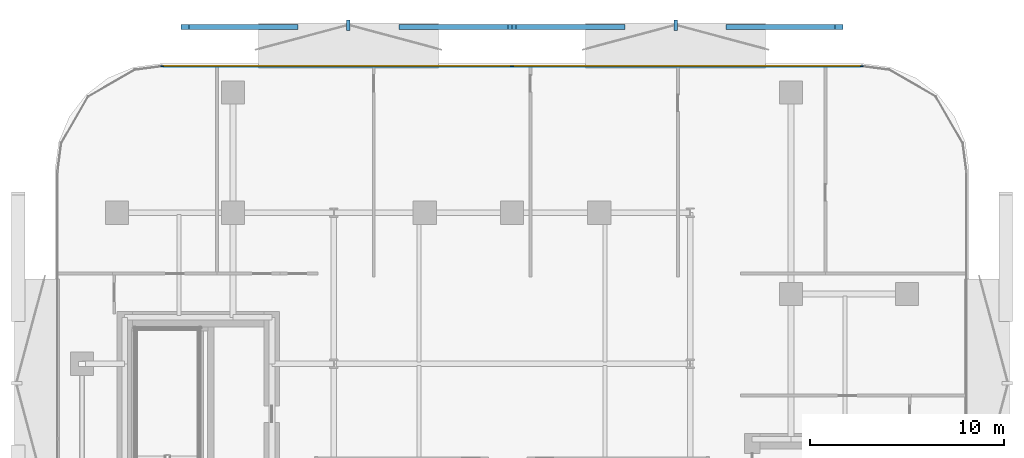
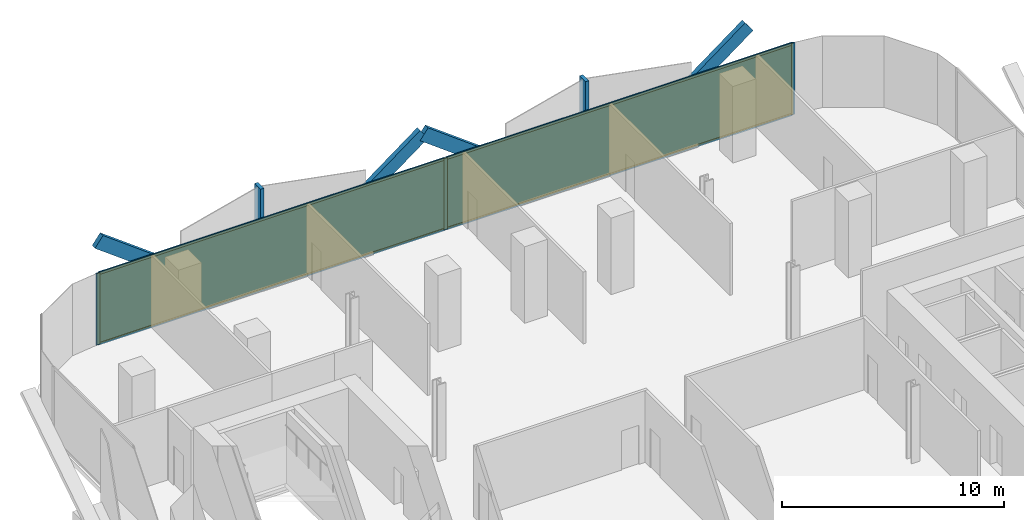
# One storey, part 11 of 16: 13 members, 2 plates, 1 curtain wall.
"""IFC4 building model written with IfcOpenShell, lengths in metres."""

import ifcopenshell
import ifcopenshell.guid

model = None  # the IFC model being written
_history = None  # IfcOwnerHistory: only IFC2X3 demands one
_inside = {}  # id of a spatial element -> (the spatial element, [elements in it])
_under = {}  # id of a project, library or spatial element -> (it, [spatial elements below it])
_declared = {}  # id of a project -> (the project, [libraries it declares])
_typed = {}  # id of a type object -> (the type object, [elements of that type])
_made_of = {}  # id of a material, layer set ... -> (it, [elements and type objects made of it])


def new_model(schema):
    """Start an empty IFC model of exactly this schema.

    Asked for "IFC4X3", IfcOpenShell would pick the latest addendum, in which some entities
    have other attributes; the version numbers below select the first issue.
    IFC2X3 requires an IfcOwnerHistory on every rooted entity: one is made here for all.
    """
    global model, _history
    if schema == "IFC4X3":
        model = ifcopenshell.file(schema_version=(4, 3, 0, 0))
    else:
        model = ifcopenshell.file(schema=schema)
    _inside.clear()
    _under.clear()
    _declared.clear()
    _typed.clear()
    _made_of.clear()
    _history = None
    if model.schema == "IFC2X3":
        org = make("IfcOrganization", Name="unknown")
        user = make(
            "IfcPersonAndOrganization",
            ThePerson=make("IfcPerson", FamilyName="unknown"),
            TheOrganization=org,
        )
        app = make(
            "IfcApplication",
            ApplicationDeveloper=org,
            Version="unknown",
            ApplicationFullName="unknown",
            ApplicationIdentifier="unknown",
        )
        _history = make(
            "IfcOwnerHistory",
            OwningUser=user,
            OwningApplication=app,
            ChangeAction="ADDED",
            CreationDate=0,
        )
    return model


def make(cls, **values):
    """One entity of the class cls with the attributes given. An attribute that is None is left unset."""
    return model.create_entity(
        cls, **{name: value for name, value in values.items() if value is not None}
    )


def rooted(cls, **values):
    """An entity with a GlobalId (a new one), such as an element, a storey or a relation."""
    return make(cls, GlobalId=ifcopenshell.guid.new(), OwnerHistory=_history, **values)


def si_unit(unit_type, name, prefix=None):
    """IfcSIUnit, for example si_unit("LENGTHUNIT", "METRE", prefix="MILLI")."""
    return make("IfcSIUnit", UnitType=unit_type, Prefix=prefix, Name=name)


def assignment(units):
    """IfcUnitAssignment: the units of a project."""
    return None if units is None else make("IfcUnitAssignment", Units=units)


def point(xyz):
    """IfcCartesianPoint."""
    return None if xyz is None else make("IfcCartesianPoint", Coordinates=xyz)


def direction(xyz):
    """IfcDirection."""
    return None if xyz is None else make("IfcDirection", DirectionRatios=xyz)


def frame(location, z_axis=None, x_axis=None):
    """IfcAxis2Placement3D, a coordinate frame: its origin and axes. An axis left out is left unset."""
    return make(
        "IfcAxis2Placement3D",
        Location=point(location),
        Axis=direction(z_axis),
        RefDirection=direction(x_axis),
    )


def frame_2d(location, x_axis=None):
    """IfcAxis2Placement2D, a coordinate frame in the plane: its origin and x axis."""
    return make(
        "IfcAxis2Placement2D", Location=point(location), RefDirection=direction(x_axis)
    )


def origin():
    """The frame at (0, 0, 0) with its axes left unset."""
    return frame((0.0, 0.0, 0.0))


def origin_2d():
    """The frame at (0, 0) in the plane with its x axis left unset."""
    return frame_2d((0.0, 0.0))


def place(relative_to, where):
    """IfcLocalPlacement: puts the frame where relative to a parent placement (None: the world)."""
    return make(
        "IfcLocalPlacement", PlacementRelTo=relative_to, RelativePlacement=where
    )


def context(
    kind, dimensions, precision=None, world=None, true_north=None, identifier=None
):
    """IfcGeometricRepresentationContext, for example the 3D "Model" context."""
    return make(
        "IfcGeometricRepresentationContext",
        ContextIdentifier=identifier,
        ContextType=kind,
        CoordinateSpaceDimension=dimensions,
        Precision=precision,
        WorldCoordinateSystem=world,
        TrueNorth=true_north,
    )


def subcontext(parent, identifier, kind, view, scale=None):
    """IfcGeometricRepresentationSubContext, for example "Body" below "Model"."""
    return make(
        "IfcGeometricRepresentationSubContext",
        ContextIdentifier=identifier,
        ContextType=kind,
        ParentContext=parent,
        TargetScale=scale,
        TargetView=view,
    )


def project(units=None, contexts=None):
    """IfcProject with its units and contexts."""
    return rooted(
        "IfcProject",
        Name="project",
        RepresentationContexts=contexts,
        UnitsInContext=assignment(units),
    )


def spatial(cls, under=None, at=None, **own):
    """A site, building, storey or space (cls), placed at a placement, below another one or the project."""
    s = rooted(cls, ObjectPlacement=at, **own)
    if under is not None:
        _under.setdefault(under.id(), (under, []))[1].append(s)
    return s


def profile(cls, at=None, kind="AREA", **sizes):
    """A parametric profile (cls). Its sizes go by their IFC names, for example OverallWidth=200.0."""
    return make(cls, ProfileType=kind, Position=at, **sizes)


def rectangle(**sizes):
    """IfcRectangleProfileDef."""
    return profile("IfcRectangleProfileDef", **sizes)


def extrude(swept, where, along, depth):
    """IfcExtrudedAreaSolid: the profile swept, set in the frame where, extruded along a direction by depth."""
    return make(
        "IfcExtrudedAreaSolid",
        SweptArea=swept,
        Position=where,
        ExtrudedDirection=direction(along),
        Depth=depth,
    )


def shape(context_of_items, identifier, shape_type, items):
    """IfcShapeRepresentation: the items that make up one representation, for example the "Body"."""
    return make(
        "IfcShapeRepresentation",
        ContextOfItems=context_of_items,
        RepresentationIdentifier=identifier,
        RepresentationType=shape_type,
        Items=items,
    )


def material(Name=None, Category=None):
    """IfcMaterial."""
    return make("IfcMaterial", Name=Name, Category=Category)


def layer(
    of_material, thickness, ventilated=None, Name=None, Category=None, Priority=None
):
    """IfcMaterialLayer: one layer of a wall or slab, of a material (None: an air gap)."""
    return make(
        "IfcMaterialLayer",
        Material=of_material,
        LayerThickness=thickness,
        IsVentilated=ventilated,
        Name=Name,
        Category=Category,
        Priority=Priority,
    )


def layer_set(layers, Name=None):
    """IfcMaterialLayerSet."""
    return make("IfcMaterialLayerSet", MaterialLayers=layers, LayerSetName=Name)


def material_profile(
    of_material, cross_section, Name=None, Category=None, Priority=None
):
    """IfcMaterialProfile: a cross section and its material."""
    return make(
        "IfcMaterialProfile",
        Name=Name,
        Material=of_material,
        Profile=cross_section,
        Priority=Priority,
        Category=Category,
    )


def profile_set(profiles, Name=None, composite=None):
    """IfcMaterialProfileSet."""
    return make(
        "IfcMaterialProfileSet",
        Name=Name,
        MaterialProfiles=profiles,
        CompositeProfile=composite,
    )


def made_of(thing, what):
    """Note that an element or type object is made of a material, layer set ...; save() writes the relation."""
    if what is not None:
        _made_of.setdefault(what.id(), (what, []))[1].append(thing)
    return thing


def type_object(cls, material=None, **own):
    """A type object (cls), such as IfcWallType, which elements share."""
    return made_of(rooted(cls, **own), material)


def element(
    cls,
    number,
    at=None,
    inside=None,
    cuts=None,
    type_object=None,
    material=None,
    context=None,
    identifier="Body",
    shape_type=None,
    held_by="IfcProductDefinitionShape",
    body=None,
    shapes=None,
    **own,
):
    """One element of the class cls, such as IfcWall. Its Tag is "e" and its number.

    at: its placement. inside: the storey or other place that contains it. cuts: it is an
    opening in that element (IfcRelVoidsElement). A single representation is given by context,
    identifier, shape_type and body (its items); several are given by shapes. held_by: the class
    of the entity that holds the representations. save() writes the other relations.
    """
    e = rooted(cls, Tag="e%d" % number, ObjectPlacement=at, **own)
    if body is not None:
        shapes = [shape(context, identifier, shape_type, body)]
    if shapes is not None:
        e.Representation = make(held_by, Representations=shapes)
    if inside is not None:
        _inside.setdefault(inside.id(), (inside, []))[1].append(e)
    if cuts is not None:
        rooted(
            "IfcRelVoidsElement", RelatingBuildingElement=cuts, RelatedOpeningElement=e
        )
    if type_object is not None:
        _typed.setdefault(type_object.id(), (type_object, []))[1].append(e)
    return made_of(e, material)


def aggregate(whole, parts):
    """IfcRelAggregates: a whole, such as a stair, and the parts it consists of."""
    return rooted("IfcRelAggregates", RelatingObject=whole, RelatedObjects=parts)


def save(model, path):
    """Write the relations noted so far, then the file.

    IfcRelAggregates (storeys below a building ...), IfcRelContainedInSpatialStructure (elements
    in a storey), IfcRelDefinesByType, IfcRelAssociatesMaterial and IfcRelDeclares: one each for
    every whole, place, type object, material and project.
    """
    for whole, parts in _under.values():
        aggregate(whole, parts)
    for where, things in _inside.values():
        rooted(
            "IfcRelContainedInSpatialStructure",
            RelatedElements=things,
            RelatingStructure=where,
        )
    for kind, things in _typed.values():
        rooted("IfcRelDefinesByType", RelatedObjects=things, RelatingType=kind)
    for what, things in _made_of.values():
        rooted("IfcRelAssociatesMaterial", RelatedObjects=things, RelatingMaterial=what)
    for by, libraries in _declared.values():
        rooted("IfcRelDeclares", RelatingContext=by, RelatedDefinitions=libraries)
    model.write(path)


model = new_model("IFC4")

# Units and contexts
model_context = context("Model", 3, precision=1e-05, world=origin(), true_north=direction((0.0, 1.0)))
body_context = subcontext(model_context, "Body", "Model", "MODEL_VIEW")
ifc_project = project(units=[si_unit("LENGTHUNIT", "METRE"), si_unit("AREAUNIT", "SQUARE_METRE"), si_unit("VOLUMEUNIT", "CUBIC_METRE"), si_unit("PLANEANGLEUNIT", "RADIAN"), si_unit("MASSUNIT", "GRAM", prefix="KILO")], contexts=[model_context])

# Member
ifc_material_1 = material(Name="Anodised Bronze Aluminium 6063-T6", Category="aluminium")
ifc_material_profile_1 = material_profile(ifc_material_1, rectangle(XDim=0.260009765625, YDim=0.699951171875, at=origin_2d()))
ifc_profile_set_1 = profile_set([ifc_material_profile_1], Name="Anodised Bronze Aluminium 6063-T6")
member_type_1 = type_object("IfcMemberType", Name="Bronze Diamond Solar-Screen Lattice Rib BDL-700", PredefinedType="MULLION", material=ifc_profile_set_1)
site_placement = place(None, origin())
building_placement = place(site_placement, origin())
storey_placement = place(building_placement, frame((0.0, 0.0, 139.39990234375)))
member_1_placement = place(storey_placement, frame((-5.63037109375, 28.199951171875, -0.1298828125), z_axis=(0.801557173533, 0.0, 0.597918136167), x_axis=(0.0, 1.0, 0.0)))
member_1 = element("IfcMember", 1, at=member_1_placement, type_object=member_type_1, Name="L32 Bronze Diamond Solar Screen Lattice Rib 205A", PredefinedType="MULLION", context=body_context, shape_type="SweptSolid", body=[
    extrude(rectangle(XDim=0.260009765625, YDim=0.699951171875, at=origin_2d()), origin(), (0.0, 0.0, 1.0), 7.024169921875),
])

member_2_placement = place(storey_placement, frame((-11.260498046875, 28.199951171875, -0.1298828125), z_axis=(-0.801557173533, 0.0, 0.597918136167), x_axis=(0.0, -1.0, 0.0)))
member_2 = element("IfcMember", 2, at=member_2_placement, type_object=member_type_1, Name="L32 Bronze Diamond Solar Screen Lattice Rib 205B", PredefinedType="MULLION", context=body_context, shape_type="SweptSolid", body=[
    extrude(rectangle(XDim=0.260009765625, YDim=0.699951171875, at=origin_2d()), origin(), (0.0, 0.0, 1.0), 7.024169921875),
])

member_3_placement = place(storey_placement, frame((11.260498046875, 28.199951171875, -0.1298828125), z_axis=(0.801557173533, 0.0, 0.597918136167), x_axis=(0.0, 1.0, 0.0)))
member_3 = element("IfcMember", 3, at=member_3_placement, type_object=member_type_1, Name="L32 Bronze Diamond Solar Screen Lattice Rib 206A", PredefinedType="MULLION", context=body_context, shape_type="SweptSolid", body=[
    extrude(rectangle(XDim=0.260009765625, YDim=0.699951171875, at=origin_2d()), origin(), (0.0, 0.0, 1.0), 7.024169921875),
])

member_4_placement = place(storey_placement, frame((5.63037109375, 28.199951171875, -0.1298828125), z_axis=(-0.801557173533, 0.0, 0.597918136167), x_axis=(0.0, -1.0, 0.0)))
member_4 = element("IfcMember", 4, at=member_4_placement, type_object=member_type_1, Name="L32 Bronze Diamond Solar Screen Lattice Rib 206B", PredefinedType="MULLION", context=body_context, shape_type="SweptSolid", body=[
    extrude(rectangle(XDim=0.260009765625, YDim=0.699951171875, at=origin_2d()), origin(), (0.0, 0.0, 1.0), 7.024169921875),
])

ifc_material_2 = material(Name="Anodised Bronze Aluminium 6063-T6", Category="aluminium")
ifc_material_profile_2 = material_profile(ifc_material_2, rectangle(XDim=0.179931640625, YDim=0.5400390625, at=origin_2d()))
ifc_profile_set_2 = profile_set([ifc_material_profile_2], Name="Anodised Bronze Aluminium 6063-T6")
member_type_2 = type_object("IfcMemberType", Name="Bronze Solar-Screen Vertical Fold Fin BSF-540", PredefinedType="MULLION", material=ifc_profile_set_2)
member_5_placement = place(storey_placement, frame((-8.4453125, 28.280029296875, -0.1298828125), z_axis=(0.0, 0.0, 1.0), x_axis=(1.0, 0.0, 0.0)))
member_5 = element("IfcMember", 5, at=member_5_placement, type_object=member_type_2, Name="L32 Bronze Solar Screen Vertical Fin 205", PredefinedType="MULLION", context=body_context, shape_type="SweptSolid", body=[
    extrude(rectangle(XDim=0.179931640625, YDim=0.5400390625, at=origin_2d()), origin(), (0.0, 0.0, 1.0), 4.199951171875),
])

member_6_placement = place(storey_placement, frame((8.4453125, 28.280029296875, -0.1298828125), z_axis=(0.0, 0.0, 1.0), x_axis=(1.0, 0.0, 0.0)))
member_6 = element("IfcMember", 6, at=member_6_placement, type_object=member_type_2, Name="L32 Bronze Solar Screen Vertical Fin 206", PredefinedType="MULLION", context=body_context, shape_type="SweptSolid", body=[
    extrude(rectangle(XDim=0.179931640625, YDim=0.5400390625, at=origin_2d()), origin(), (0.0, 0.0, 1.0), 4.199951171875),
])

ifc_material_3 = material(Name="Anodised Bronze Aluminium 6063-T6", Category="aluminium")
ifc_material_profile_3 = material_profile(ifc_material_3, rectangle(XDim=0.06494140625, YDim=0.175048828125, at=origin_2d()))
ifc_profile_set_3 = profile_set([ifc_material_profile_3], Name="Anodised Bronze Aluminium 6063-T6")
member_type_3 = type_object("IfcMemberType", Name="CW-Z2 Mullion 65x175", PredefinedType="MULLION", material=ifc_profile_set_3)
member_7_placement = place(storey_placement, frame((-18.058349609375, 26.159912109375, 0.0), z_axis=(0.0, 0.0, 1.0), x_axis=(0.0, 1.0, 0.0)))
member_7 = element("IfcMember", 7, at=member_7_placement, type_object=member_type_3, Name="CW-Z2 mullion 1", PredefinedType="MULLION", context=body_context, shape_type="SweptSolid", body=[
    extrude(rectangle(XDim=0.06494140625, YDim=0.175048828125, at=origin_2d()), origin(), (0.0, 0.0, 1.0), 3.940185546875),
])

member_8_placement = place(storey_placement, frame((0.0, 26.159912109375, 0.0), z_axis=(0.0, 0.0, 1.0), x_axis=(0.0, 1.0, 0.0)))
member_8 = element("IfcMember", 8, at=member_8_placement, type_object=member_type_3, Name="CW-Z2 mullion 2", PredefinedType="MULLION", context=body_context, shape_type="SweptSolid", body=[
    extrude(rectangle(XDim=0.06494140625, YDim=0.175048828125, at=origin_2d()), origin(), (0.0, 0.0, 1.0), 3.940185546875),
])

member_9_placement = place(storey_placement, frame((18.058349609375, 26.159912109375, 0.0), z_axis=(0.0, 0.0, 1.0), x_axis=(0.0, 1.0, 0.0)))
member_9 = element("IfcMember", 9, at=member_9_placement, type_object=member_type_3, Name="CW-Z2 mullion 3", PredefinedType="MULLION", context=body_context, shape_type="SweptSolid", body=[
    extrude(rectangle(XDim=0.06494140625, YDim=0.175048828125, at=origin_2d()), origin(), (0.0, 0.0, 1.0), 3.940185546875),
])

ifc_material_4 = material(Name="Anodised Bronze Aluminium 6063-T6", Category="aluminium")
ifc_material_profile_4 = material_profile(ifc_material_4, rectangle(XDim=0.06494140625, YDim=0.135009765625, at=origin_2d()))
ifc_profile_set_4 = profile_set([ifc_material_profile_4], Name="Anodised Bronze Aluminium 6063-T6")
member_type_4 = type_object("IfcMemberType", Name="CW-Z2 Transom 65x135", PredefinedType="USERDEFINED", material=ifc_profile_set_4)
member_10_placement = place(storey_placement, frame((-18.02587890625, 26.159912109375, 0.03271484375), z_axis=(1.0, 0.0, 0.0), x_axis=(0.0, 1.0, 0.0)))
member_10 = element("IfcMember", 10, at=member_10_placement, type_object=member_type_4, Name="CW-Z2 transom 1.1", ObjectType="TRANSOM", PredefinedType="USERDEFINED", context=body_context, shape_type="SweptSolid", body=[
    extrude(rectangle(XDim=0.06494140625, YDim=0.135009765625, at=origin_2d()), origin(), (0.0, 0.0, 1.0), 17.993408203125),
])

member_11_placement = place(storey_placement, frame((-18.02587890625, 26.159912109375, 3.90771484375), z_axis=(1.0, 0.0, 0.0), x_axis=(0.0, 1.0, 0.0)))
member_11 = element("IfcMember", 11, at=member_11_placement, type_object=member_type_4, Name="CW-Z2 transom 1.2", ObjectType="TRANSOM", PredefinedType="USERDEFINED", context=body_context, shape_type="SweptSolid", body=[
    extrude(rectangle(XDim=0.06494140625, YDim=0.135009765625, at=origin_2d()), origin(), (0.0, 0.0, 1.0), 17.993408203125),
])

member_12_placement = place(storey_placement, frame((0.032470703125, 26.159912109375, 0.03271484375), z_axis=(1.0, 0.0, 0.0), x_axis=(0.0, 1.0, 0.0)))
member_12 = element("IfcMember", 12, at=member_12_placement, type_object=member_type_4, Name="CW-Z2 transom 2.1", ObjectType="TRANSOM", PredefinedType="USERDEFINED", context=body_context, shape_type="SweptSolid", body=[
    extrude(rectangle(XDim=0.06494140625, YDim=0.135009765625, at=origin_2d()), origin(), (0.0, 0.0, 1.0), 17.993408203125),
])

member_13_placement = place(storey_placement, frame((0.032470703125, 26.159912109375, 3.90771484375), z_axis=(1.0, 0.0, 0.0), x_axis=(0.0, 1.0, 0.0)))
member_13 = element("IfcMember", 13, at=member_13_placement, type_object=member_type_4, Name="CW-Z2 transom 2.2", ObjectType="TRANSOM", PredefinedType="USERDEFINED", context=body_context, shape_type="SweptSolid", body=[
    extrude(rectangle(XDim=0.06494140625, YDim=0.135009765625, at=origin_2d()), origin(), (0.0, 0.0, 1.0), 17.993408203125),
])

# Plate
ifc_material_5 = material(Name="Low-E Solar Control Laminated Glass", Category="glass")
ifc_layer_1 = layer(ifc_material_5, 0.028076171875, Name="Low-E Solar Control Laminated Glass")
ifc_layer_set_1 = layer_set([ifc_layer_1], Name="Low-E Solar Control Laminated Glass")
plate_type = type_object("IfcPlateType", Name="CW-Z2 Low-E Double Glazed Panel 28mm", PredefinedType="CURTAIN_PANEL", material=ifc_layer_set_1)
plate_1_placement = place(storey_placement, frame((-9.029052734375, 26.159912109375, 0.065185546875), z_axis=(0.0, 0.0, 1.0), x_axis=(1.0, 0.0, 0.0)))
plate_1 = element("IfcPlate", 14, at=plate_1_placement, type_object=plate_type, Name="CW-Z2 panel 1.1", PredefinedType="CURTAIN_PANEL", context=body_context, shape_type="SweptSolid", body=[
    extrude(rectangle(XDim=17.993408203125, YDim=0.028076171875, at=origin_2d()), origin(), (0.0, 0.0, 1.0), 3.81005859375),
])

plate_2_placement = place(storey_placement, frame((9.029052734375, 26.159912109375, 0.065185546875), z_axis=(0.0, 0.0, 1.0), x_axis=(1.0, 0.0, 0.0)))
plate_2 = element("IfcPlate", 15, at=plate_2_placement, type_object=plate_type, Name="CW-Z2 panel 2.1", PredefinedType="CURTAIN_PANEL", context=body_context, shape_type="SweptSolid", body=[
    extrude(rectangle(XDim=17.993408203125, YDim=0.028076171875, at=origin_2d()), origin(), (0.0, 0.0, 1.0), 3.81005859375),
])

# Site, building, storey
site = spatial("IfcSite", under=ifc_project, at=site_placement, CompositionType="ELEMENT")
building = spatial("IfcBuilding", under=site, at=building_placement, Name="Khairoan Windgate Tower", CompositionType="ELEMENT")
storey = spatial("IfcBuildingStorey", under=building, at=storey_placement, Name="L32", CompositionType="ELEMENT", Elevation=139.39990234375)

# Curtain wall
ifc_material_6 = material(Name="Anodised Bronze Aluminium 6063-T6", Category="aluminium")
ifc_layer_2 = layer(ifc_material_6, 0.175048828125, Name="Anodised Bronze Aluminium 6063-T6")
ifc_layer_set_2 = layer_set([ifc_layer_2], Name="Anodised Bronze Aluminium 6063-T6")
curtain_wall_type = type_object("IfcCurtainWallType", Name="Mid-Rise Office Unitised Curtain Wall CW-Z2", PredefinedType="NOTDEFINED", material=ifc_layer_set_2)
curtain_wall_placement = place(storey_placement, frame((-18.0908203125, 26.159912109375, 0.0), z_axis=(0.0, 0.0, 1.0), x_axis=(1.0, 0.0, 0.0)))
curtain_wall = element("IfcCurtainWall", 16, at=curtain_wall_placement, inside=storey, type_object=curtain_wall_type, Name="L32 Unitised Curtain Wall 11", PredefinedType="NOTDEFINED", context=body_context, shape_type="SweptSolid", body=[
    extrude(rectangle(XDim=36.181640625, YDim=0.010009765625, at=frame_2d((18.0908203125, 0.0))), origin(), (0.0, 0.0, 1.0), 3.940185546875),
])

aggregate(curtain_wall, [member_7, member_8, member_9, member_10, member_11, plate_1, member_12, member_13, plate_2, member_1, member_2, member_5, member_3, member_4, member_6])

save(model, "model.ifc")
